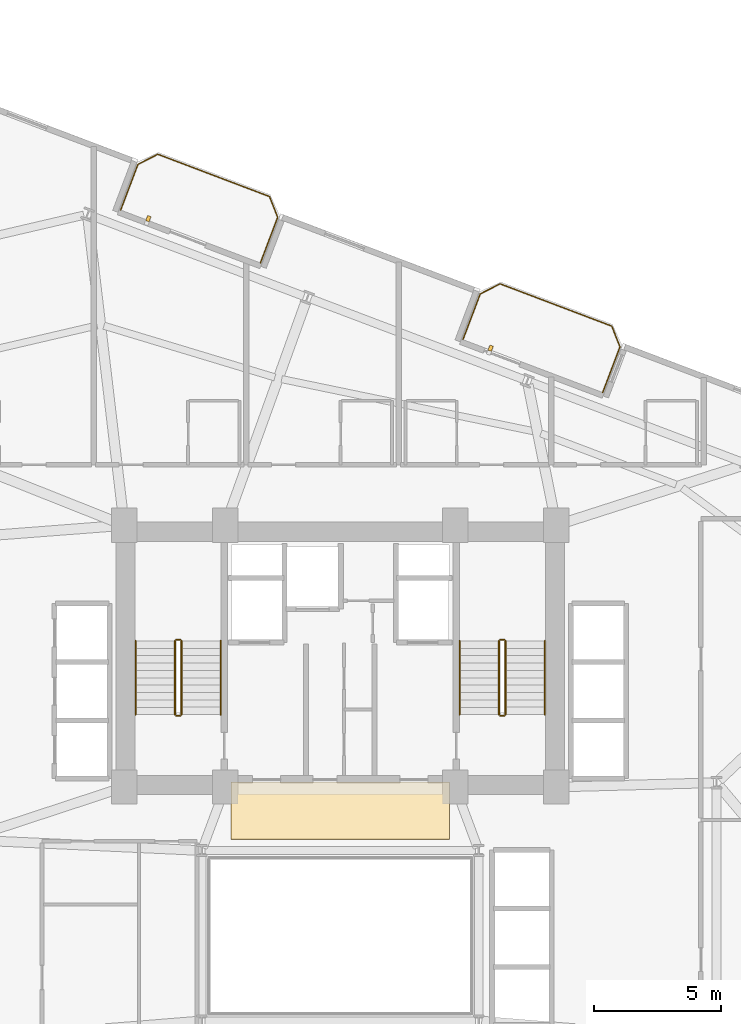
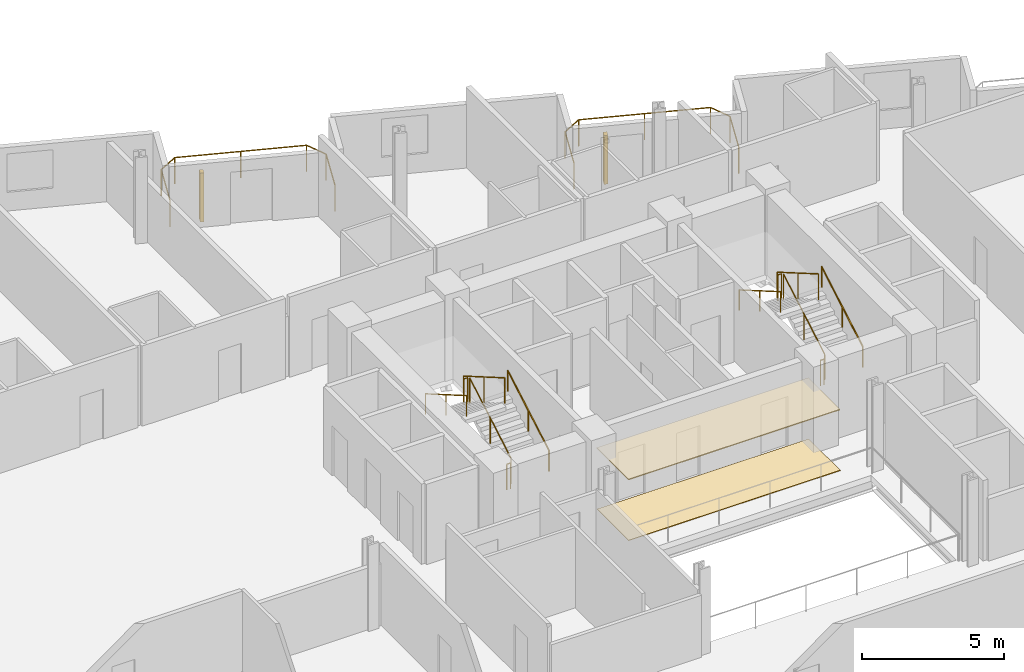
# One storey, part 23 of 24: 14 railings, 2 coverings, 2 shading devices.
"""IFC4 building model written with IfcOpenShell, lengths in metres."""

import ifcopenshell
import ifcopenshell.guid

model = None  # the IFC model being written
_history = None  # IfcOwnerHistory: only IFC2X3 demands one
_inside = {}  # id of a spatial element -> (the spatial element, [elements in it])
_under = {}  # id of a project, library or spatial element -> (it, [spatial elements below it])
_declared = {}  # id of a project -> (the project, [libraries it declares])
_typed = {}  # id of a type object -> (the type object, [elements of that type])
_made_of = {}  # id of a material, layer set ... -> (it, [elements and type objects made of it])


def new_model(schema):
    """Start an empty IFC model of exactly this schema.

    Asked for "IFC4X3", IfcOpenShell would pick the latest addendum, in which some entities
    have other attributes; the version numbers below select the first issue.
    IFC2X3 requires an IfcOwnerHistory on every rooted entity: one is made here for all.
    """
    global model, _history
    if schema == "IFC4X3":
        model = ifcopenshell.file(schema_version=(4, 3, 0, 0))
    else:
        model = ifcopenshell.file(schema=schema)
    _inside.clear()
    _under.clear()
    _declared.clear()
    _typed.clear()
    _made_of.clear()
    _history = None
    if model.schema == "IFC2X3":
        org = make("IfcOrganization", Name="unknown")
        user = make(
            "IfcPersonAndOrganization",
            ThePerson=make("IfcPerson", FamilyName="unknown"),
            TheOrganization=org,
        )
        app = make(
            "IfcApplication",
            ApplicationDeveloper=org,
            Version="unknown",
            ApplicationFullName="unknown",
            ApplicationIdentifier="unknown",
        )
        _history = make(
            "IfcOwnerHistory",
            OwningUser=user,
            OwningApplication=app,
            ChangeAction="ADDED",
            CreationDate=0,
        )
    return model


def make(cls, **values):
    """One entity of the class cls with the attributes given. An attribute that is None is left unset."""
    return model.create_entity(
        cls, **{name: value for name, value in values.items() if value is not None}
    )


def rooted(cls, **values):
    """An entity with a GlobalId (a new one), such as an element, a storey or a relation."""
    return make(cls, GlobalId=ifcopenshell.guid.new(), OwnerHistory=_history, **values)


def si_unit(unit_type, name, prefix=None):
    """IfcSIUnit, for example si_unit("LENGTHUNIT", "METRE", prefix="MILLI")."""
    return make("IfcSIUnit", UnitType=unit_type, Prefix=prefix, Name=name)


def assignment(units):
    """IfcUnitAssignment: the units of a project."""
    return None if units is None else make("IfcUnitAssignment", Units=units)


def point(xyz):
    """IfcCartesianPoint."""
    return None if xyz is None else make("IfcCartesianPoint", Coordinates=xyz)


def direction(xyz):
    """IfcDirection."""
    return None if xyz is None else make("IfcDirection", DirectionRatios=xyz)


def frame(location, z_axis=None, x_axis=None):
    """IfcAxis2Placement3D, a coordinate frame: its origin and axes. An axis left out is left unset."""
    return make(
        "IfcAxis2Placement3D",
        Location=point(location),
        Axis=direction(z_axis),
        RefDirection=direction(x_axis),
    )


def frame_2d(location, x_axis=None):
    """IfcAxis2Placement2D, a coordinate frame in the plane: its origin and x axis."""
    return make(
        "IfcAxis2Placement2D", Location=point(location), RefDirection=direction(x_axis)
    )


def origin():
    """The frame at (0, 0, 0) with its axes left unset."""
    return frame((0.0, 0.0, 0.0))


def origin_2d():
    """The frame at (0, 0) in the plane with its x axis left unset."""
    return frame_2d((0.0, 0.0))


def place(relative_to, where):
    """IfcLocalPlacement: puts the frame where relative to a parent placement (None: the world)."""
    return make(
        "IfcLocalPlacement", PlacementRelTo=relative_to, RelativePlacement=where
    )


def context(
    kind, dimensions, precision=None, world=None, true_north=None, identifier=None
):
    """IfcGeometricRepresentationContext, for example the 3D "Model" context."""
    return make(
        "IfcGeometricRepresentationContext",
        ContextIdentifier=identifier,
        ContextType=kind,
        CoordinateSpaceDimension=dimensions,
        Precision=precision,
        WorldCoordinateSystem=world,
        TrueNorth=true_north,
    )


def subcontext(parent, identifier, kind, view, scale=None):
    """IfcGeometricRepresentationSubContext, for example "Body" below "Model"."""
    return make(
        "IfcGeometricRepresentationSubContext",
        ContextIdentifier=identifier,
        ContextType=kind,
        ParentContext=parent,
        TargetScale=scale,
        TargetView=view,
    )


def project(units=None, contexts=None):
    """IfcProject with its units and contexts."""
    return rooted(
        "IfcProject",
        Name="project",
        RepresentationContexts=contexts,
        UnitsInContext=assignment(units),
    )


def spatial(cls, under=None, at=None, **own):
    """A site, building, storey or space (cls), placed at a placement, below another one or the project."""
    s = rooted(cls, ObjectPlacement=at, **own)
    if under is not None:
        _under.setdefault(under.id(), (under, []))[1].append(s)
    return s


def profile(cls, at=None, kind="AREA", **sizes):
    """A parametric profile (cls). Its sizes go by their IFC names, for example OverallWidth=200.0."""
    return make(cls, ProfileType=kind, Position=at, **sizes)


def rectangle(**sizes):
    """IfcRectangleProfileDef."""
    return profile("IfcRectangleProfileDef", **sizes)


def circle(**sizes):
    """IfcCircleProfileDef."""
    return profile("IfcCircleProfileDef", **sizes)


def extrude(swept, where, along, depth):
    """IfcExtrudedAreaSolid: the profile swept, set in the frame where, extruded along a direction by depth."""
    return make(
        "IfcExtrudedAreaSolid",
        SweptArea=swept,
        Position=where,
        ExtrudedDirection=direction(along),
        Depth=depth,
    )


def shape(context_of_items, identifier, shape_type, items):
    """IfcShapeRepresentation: the items that make up one representation, for example the "Body"."""
    return make(
        "IfcShapeRepresentation",
        ContextOfItems=context_of_items,
        RepresentationIdentifier=identifier,
        RepresentationType=shape_type,
        Items=items,
    )


def source(mapping_origin, context_of_items, identifier, shape_type, items):
    """IfcRepresentationMap: a shape defined once, which mapped items show again and again."""
    return make(
        "IfcRepresentationMap",
        MappingOrigin=mapping_origin,
        MappedRepresentation=shape(context_of_items, identifier, shape_type, items),
    )


def transform(
    local_origin,
    x_axis=None,
    y_axis=None,
    z_axis=None,
    scale=None,
    scale2=None,
    scale3=None,
    uniform=True,
):
    """IfcCartesianTransformationOperator3D, or its non-uniform kind. x_axis, y_axis, z_axis: its Axis1, 2, 3."""
    if uniform:
        return make(
            "IfcCartesianTransformationOperator3D",
            Axis1=direction(x_axis),
            Axis2=direction(y_axis),
            LocalOrigin=point(local_origin),
            Scale=scale,
            Axis3=direction(z_axis),
        )
    return make(
        "IfcCartesianTransformationOperator3DnonUniform",
        Axis1=direction(x_axis),
        Axis2=direction(y_axis),
        LocalOrigin=point(local_origin),
        Scale=scale,
        Axis3=direction(z_axis),
        Scale2=scale2,
        Scale3=scale3,
    )


def mapped(mapping_source, mapping_target):
    """IfcMappedItem: shows the shape of a source again, moved by a transform."""
    return make(
        "IfcMappedItem", MappingSource=mapping_source, MappingTarget=mapping_target
    )


def material(Name=None, Category=None):
    """IfcMaterial."""
    return make("IfcMaterial", Name=Name, Category=Category)


def layer(
    of_material, thickness, ventilated=None, Name=None, Category=None, Priority=None
):
    """IfcMaterialLayer: one layer of a wall or slab, of a material (None: an air gap)."""
    return make(
        "IfcMaterialLayer",
        Material=of_material,
        LayerThickness=thickness,
        IsVentilated=ventilated,
        Name=Name,
        Category=Category,
        Priority=Priority,
    )


def layer_set(layers, Name=None):
    """IfcMaterialLayerSet."""
    return make("IfcMaterialLayerSet", MaterialLayers=layers, LayerSetName=Name)


def made_of(thing, what):
    """Note that an element or type object is made of a material, layer set ...; save() writes the relation."""
    if what is not None:
        _made_of.setdefault(what.id(), (what, []))[1].append(thing)
    return thing


def type_object(cls, material=None, **own):
    """A type object (cls), such as IfcWallType, which elements share."""
    return made_of(rooted(cls, **own), material)


def element(
    cls,
    number,
    at=None,
    inside=None,
    cuts=None,
    type_object=None,
    material=None,
    context=None,
    identifier="Body",
    shape_type=None,
    held_by="IfcProductDefinitionShape",
    body=None,
    shapes=None,
    **own,
):
    """One element of the class cls, such as IfcWall. Its Tag is "e" and its number.

    at: its placement. inside: the storey or other place that contains it. cuts: it is an
    opening in that element (IfcRelVoidsElement). A single representation is given by context,
    identifier, shape_type and body (its items); several are given by shapes. held_by: the class
    of the entity that holds the representations. save() writes the other relations.
    """
    e = rooted(cls, Tag="e%d" % number, ObjectPlacement=at, **own)
    if body is not None:
        shapes = [shape(context, identifier, shape_type, body)]
    if shapes is not None:
        e.Representation = make(held_by, Representations=shapes)
    if inside is not None:
        _inside.setdefault(inside.id(), (inside, []))[1].append(e)
    if cuts is not None:
        rooted(
            "IfcRelVoidsElement", RelatingBuildingElement=cuts, RelatedOpeningElement=e
        )
    if type_object is not None:
        _typed.setdefault(type_object.id(), (type_object, []))[1].append(e)
    return made_of(e, material)


def aggregate(whole, parts):
    """IfcRelAggregates: a whole, such as a stair, and the parts it consists of."""
    return rooted("IfcRelAggregates", RelatingObject=whole, RelatedObjects=parts)


def save(model, path):
    """Write the relations noted so far, then the file.

    IfcRelAggregates (storeys below a building ...), IfcRelContainedInSpatialStructure (elements
    in a storey), IfcRelDefinesByType, IfcRelAssociatesMaterial and IfcRelDeclares: one each for
    every whole, place, type object, material and project.
    """
    for whole, parts in _under.values():
        aggregate(whole, parts)
    for where, things in _inside.values():
        rooted(
            "IfcRelContainedInSpatialStructure",
            RelatedElements=things,
            RelatingStructure=where,
        )
    for kind, things in _typed.values():
        rooted("IfcRelDefinesByType", RelatedObjects=things, RelatingType=kind)
    for what, things in _made_of.values():
        rooted("IfcRelAssociatesMaterial", RelatedObjects=things, RelatingMaterial=what)
    for by, libraries in _declared.values():
        rooted("IfcRelDeclares", RelatingContext=by, RelatedDefinitions=libraries)
    model.write(path)


model = new_model("IFC4")

# Units and contexts
model_context = context("Model", 3, precision=1e-05, world=origin(), true_north=direction((0.0, 1.0)))
body_context = subcontext(model_context, "Body", "Model", "MODEL_VIEW")
ifc_project = project(units=[si_unit("LENGTHUNIT", "METRE"), si_unit("AREAUNIT", "SQUARE_METRE"), si_unit("VOLUMEUNIT", "CUBIC_METRE"), si_unit("PLANEANGLEUNIT", "RADIAN"), si_unit("MASSUNIT", "GRAM", prefix="KILO")], contexts=[model_context])

# Site, building, storey
site_placement = place(None, origin())
site = spatial("IfcSite", under=ifc_project, at=site_placement, CompositionType="ELEMENT")
building_placement = place(site_placement, origin())
building = spatial("IfcBuilding", under=site, at=building_placement, Name="Varnelok Gate Tower", CompositionType="ELEMENT")
storey_placement = place(building_placement, frame((0.0, 0.0, 87.300048828125)))
storey = spatial("IfcBuildingStorey", under=building, at=storey_placement, Name="L21", CompositionType="ELEMENT", Elevation=87.300048828125)

# Railings
ifc_material_1 = material(Name="Low-E Laminated Double Glazing IGU", Category="glass")
railing_type_1 = type_object("IfcRailingType", Name="RL-BALC-1150", PredefinedType="BALUSTRADE", material=ifc_material_1)
railing_1_placement = place(storey_placement, frame((30.560302734375, 51.453125, 0.0)))
element("IfcRailing", 1, at=railing_1_placement, inside=storey, type_object=railing_type_1, Name="L21 North Terrace Balustrade 4", PredefinedType="BALUSTRADE", context=body_context, shape_type="SweptSolid", body=[
    extrude(circle(Radius=0.02392578125, at=origin_2d()), frame((0.0, 0.0, 1.1259765625), z_axis=(0.354006333352, 0.935243025073, 0.0), x_axis=(-0.935243025073, 0.354006333352, 0.0)), (0.0, 0.0, 1.0), 1.919921875),
    extrude(circle(Radius=0.02392578125, at=origin_2d()), frame((0.6796875, 1.795654296875, 1.1259765625), z_axis=(0.89078254773, 0.454429810487, 0.0), x_axis=(-0.454429810487, 0.89078254773, 0.0)), (0.0, 0.0, 1.0), 0.8779296875),
    extrude(circle(Radius=0.02392578125, at=origin_2d()), frame((1.461669921875, 2.194580078125, 1.1259765625), z_axis=(0.935223045203, -0.354059113314, 0.0), x_axis=(0.354059113314, 0.935223045203, 0.0)), (0.0, 0.0, 1.0), 4.699951171875),
    extrude(circle(Radius=0.02392578125, at=origin_2d()), frame((5.857177734375, 0.530517578125, 1.1259765625), z_axis=(0.366349384437, -0.930477365938, 0.0), x_axis=(0.930477365938, 0.366349384437, 0.0)), (0.0, 0.0, 1.0), 0.877685546875),
    extrude(circle(Radius=0.02392578125, at=origin_2d()), frame((6.1787109375, -0.2861328125, 1.1259765625), z_axis=(-0.354006333352, -0.935243025073, 0.0), x_axis=(0.935243025073, -0.354006333352, 0.0)), (0.0, 0.0, 1.0), 1.919921875),
    extrude(circle(Radius=0.02099609375, at=origin_2d()), origin(), (0.0, 0.0, 1.0), 1.101806640625),
    extrude(circle(Radius=0.02099609375, at=origin_2d()), frame((0.6796875, 1.795654296875, 0.0)), (0.0, 0.0, 1.0), 1.101806640625),
    extrude(circle(Radius=0.02099609375, at=origin_2d()), frame((1.461669921875, 2.194580078125, 0.0)), (0.0, 0.0, 1.0), 1.101806640625),
    extrude(circle(Radius=0.02099609375, at=origin_2d()), frame((3.659423828125, 1.362548828125, 0.0)), (0.0, 0.0, 1.0), 1.101806640625),
    extrude(circle(Radius=0.02099609375, at=origin_2d()), frame((5.857177734375, 0.530517578125, 0.0)), (0.0, 0.0, 1.0), 1.101806640625),
    extrude(circle(Radius=0.02099609375, at=origin_2d()), frame((6.1787109375, -0.2861328125, 0.0)), (0.0, 0.0, 1.0), 1.101806640625),
    extrude(circle(Radius=0.02099609375, at=origin_2d()), frame((5.4990234375, -2.081787109375, 0.0)), (0.0, 0.0, 1.0), 1.101806640625),
])
railing_2_placement = place(storey_placement, frame((44.02734375, 46.354736328125, 0.0)))
element("IfcRailing", 2, at=railing_2_placement, inside=storey, type_object=railing_type_1, Name="L21 North Terrace Balustrade 5", PredefinedType="BALUSTRADE", context=body_context, shape_type="SweptSolid", body=[
    extrude(circle(Radius=0.02392578125, at=origin_2d()), frame((0.0, 0.0, 1.1259765625), z_axis=(0.354117547856, 0.935200920819, 0.0), x_axis=(-0.935200920819, 0.354117547856, 0.0)), (0.0, 0.0, 1.0), 1.920166015625),
    extrude(circle(Radius=0.02392578125, at=origin_2d()), frame((0.679931640625, 1.795654296875, 1.1259765625), z_axis=(0.890725095116, 0.454542412686, 0.0), x_axis=(-0.454542412686, 0.890725095116, 0.0)), (0.0, 0.0, 1.0), 0.877685546875),
    extrude(circle(Radius=0.02392578125, at=origin_2d()), frame((1.461669921875, 2.194580078125, 1.1259765625), z_axis=(0.935223045203, -0.354059113314, 0.0), x_axis=(0.354059113314, 0.935223045203, 0.0)), (0.0, 0.0, 1.0), 4.699951171875),
    extrude(circle(Radius=0.02392578125, at=origin_2d()), frame((5.857177734375, 0.530517578125, 1.1259765625), z_axis=(0.366495340819, -0.93041988648, 0.0), x_axis=(0.93041988648, 0.366495340819, 0.0)), (0.0, 0.0, 1.0), 0.8779296875),
    extrude(circle(Radius=0.02392578125, at=origin_2d()), frame((6.178955078125, -0.286376953125, 1.1259765625), z_axis=(-0.354006333352, -0.935243025073, 0.0), x_axis=(0.935243025073, -0.354006333352, 0.0)), (0.0, 0.0, 1.0), 1.919921875),
    extrude(circle(Radius=0.02099609375, at=origin_2d()), origin(), (0.0, 0.0, 1.0), 1.101806640625),
    extrude(circle(Radius=0.02099609375, at=origin_2d()), frame((0.679931640625, 1.795654296875, 0.0)), (0.0, 0.0, 1.0), 1.101806640625),
    extrude(circle(Radius=0.02099609375, at=origin_2d()), frame((1.461669921875, 2.194580078125, 0.0)), (0.0, 0.0, 1.0), 1.101806640625),
    extrude(circle(Radius=0.02099609375, at=origin_2d()), frame((3.659423828125, 1.362548828125, 0.0)), (0.0, 0.0, 1.0), 1.101806640625),
    extrude(circle(Radius=0.02099609375, at=origin_2d()), frame((5.857177734375, 0.530517578125, 0.0)), (0.0, 0.0, 1.0), 1.101806640625),
    extrude(circle(Radius=0.02099609375, at=origin_2d()), frame((6.178955078125, -0.286376953125, 0.0)), (0.0, 0.0, 1.0), 1.101806640625),
    extrude(circle(Radius=0.02099609375, at=origin_2d()), frame((5.499267578125, -2.08203125, 0.0)), (0.0, 0.0, 1.0), 1.101806640625),
])
ifc_material_2 = material(Name="Brushed Stainless Steel AISI 316", Category="steel")
railing_type_2 = type_object("IfcRailingType", Name="RL-HANDRAIL-900", PredefinedType="HANDRAIL", material=ifc_material_2)
railing_3_placement = place(storey_placement, frame((34.5, 31.60009765625, 0.168212890625)))
element("IfcRailing", 3, at=railing_3_placement, inside=storey, type_object=railing_type_2, Name="L21 ST-1 stair handrail 1", PredefinedType="HANDRAIL", context=body_context, shape_type="SweptSolid", body=[
    extrude(circle(Radius=0.02392578125, at=origin_2d()), frame((0.0, 0.0, 0.8759765625), z_axis=(0.0, 0.86507038078, 0.501650512107), x_axis=(-1.0, 0.0, 0.0)), (0.0, 0.0, 1.0), 3.352294921875),
    extrude(circle(Radius=0.02099609375, at=origin_2d()), origin(), (0.0, 0.0, 1.0), 0.851806640625),
    extrude(circle(Radius=0.02099609375, at=origin_2d()), frame((0.0, 1.449951171875, 0.8408203125)), (0.0, 0.0, 1.0), 0.851806640625),
    extrude(circle(Radius=0.02099609375, at=origin_2d()), frame((0.0, 2.89990234375, 1.681640625)), (0.0, 0.0, 1.0), 0.851806640625),
])
railing_4_placement = place(storey_placement, frame((31.14990234375, 34.5, 2.01806640625)))
element("IfcRailing", 4, at=railing_4_placement, inside=storey, type_object=railing_type_2, Name="L21 ST-1 stair handrail 2", PredefinedType="HANDRAIL", context=body_context, shape_type="SweptSolid", body=[
    extrude(circle(Radius=0.02392578125, at=origin_2d()), frame((0.0, 0.0, 0.8759765625), z_axis=(0.0, -0.865038774852, 0.501705010941), x_axis=(1.0, 0.0, 0.0)), (0.0, 0.0, 1.0), 3.352294921875),
    extrude(circle(Radius=0.02099609375, at=origin_2d()), origin(), (0.0, 0.0, 1.0), 0.851806640625),
    extrude(circle(Radius=0.02099609375, at=origin_2d()), frame((0.0, -1.449951171875, 0.8408203125)), (0.0, 0.0, 1.0), 0.851806640625),
    extrude(circle(Radius=0.02099609375, at=origin_2d()), frame((0.0, -2.89990234375, 1.681884765625)), (0.0, 0.0, 1.0), 0.851806640625),
])
railing_5_placement = place(storey_placement, frame((47.25, 31.60009765625, 0.168212890625)))
element("IfcRailing", 5, at=railing_5_placement, inside=storey, type_object=railing_type_2, Name="L21 ST-2 stair handrail 1", PredefinedType="HANDRAIL", context=body_context, shape_type="SweptSolid", body=[
    extrude(circle(Radius=0.02392578125, at=origin_2d()), frame((0.0, 0.0, 0.8759765625), z_axis=(0.0, 0.86507038078, 0.501650512107), x_axis=(-1.0, 0.0, 0.0)), (0.0, 0.0, 1.0), 3.352294921875),
    extrude(circle(Radius=0.02099609375, at=origin_2d()), origin(), (0.0, 0.0, 1.0), 0.851806640625),
    extrude(circle(Radius=0.02099609375, at=origin_2d()), frame((0.0, 1.449951171875, 0.8408203125)), (0.0, 0.0, 1.0), 0.851806640625),
    extrude(circle(Radius=0.02099609375, at=origin_2d()), frame((0.0, 2.89990234375, 1.681640625)), (0.0, 0.0, 1.0), 0.851806640625),
])
railing_6_placement = place(storey_placement, frame((43.89990234375, 34.5, 2.01806640625)))
element("IfcRailing", 6, at=railing_6_placement, inside=storey, type_object=railing_type_2, Name="L21 ST-2 stair handrail 2", PredefinedType="HANDRAIL", context=body_context, shape_type="SweptSolid", body=[
    extrude(circle(Radius=0.02392578125, at=origin_2d()), frame((0.0, 0.0, 0.8759765625), z_axis=(0.0, -0.865038774852, 0.501705010941), x_axis=(1.0, 0.0, 0.0)), (0.0, 0.0, 1.0), 3.352294921875),
    extrude(circle(Radius=0.02099609375, at=origin_2d()), origin(), (0.0, 0.0, 1.0), 0.851806640625),
    extrude(circle(Radius=0.02099609375, at=origin_2d()), frame((0.0, -1.449951171875, 0.8408203125)), (0.0, 0.0, 1.0), 0.851806640625),
    extrude(circle(Radius=0.02099609375, at=origin_2d()), frame((0.0, -2.89990234375, 1.681884765625)), (0.0, 0.0, 1.0), 0.851806640625),
])
ifc_material_3 = material(Name="Galvanized Steel Grade S350GD", Category="steel")
railing_type_3 = type_object("IfcRailingType", Name="RL-STAIR-GUARD1120", PredefinedType="GUARDRAIL", material=ifc_material_3)
railing_7_placement = place(storey_placement, frame((32.949951171875, 31.60009765625, 0.168212890625)))
element("IfcRailing", 7, at=railing_7_placement, inside=storey, type_object=railing_type_3, Name="L21 ST-1 stair guard 1", PredefinedType="GUARDRAIL", context=body_context, shape_type="SweptSolid", body=[
    extrude(circle(Radius=0.02392578125, at=origin_2d()), frame((0.0, 0.0, 1.09619140625), z_axis=(0.0, 0.86507038078, 0.501650512107), x_axis=(-1.0, 0.0, 0.0)), (0.0, 0.0, 1.0), 3.352294921875),
    extrude(circle(Radius=0.02099609375, at=origin_2d()), origin(), (0.0, 0.0, 1.0), 1.072021484375),
    extrude(circle(Radius=0.02099609375, at=origin_2d()), frame((0.0, 1.449951171875, 0.8408203125)), (0.0, 0.0, 1.0), 1.072021484375),
    extrude(circle(Radius=0.02099609375, at=origin_2d()), frame((0.0, 2.89990234375, 1.681640625)), (0.0, 0.0, 1.0), 1.072021484375),
])
railing_8_placement = place(storey_placement, frame((32.89990234375, 34.550048828125, 1.849853515625)))
element("IfcRailing", 8, at=railing_8_placement, inside=storey, type_object=railing_type_3, Name="L21 ST-1 stair guard 2", PredefinedType="GUARDRAIL", context=body_context, shape_type="SweptSolid", body=[
    extrude(circle(Radius=0.02392578125, at=origin_2d()), frame((0.0, 0.0, 1.09619140625), z_axis=(-1.0, 0.0, 0.0), x_axis=(0.0, -1.0, 0.0)), (0.0, 0.0, 1.0), 0.14990234375),
    extrude(circle(Radius=0.02099609375, at=origin_2d()), origin(), (0.0, 0.0, 1.0), 1.072021484375),
    extrude(circle(Radius=0.02099609375, at=origin_2d()), frame((-0.14990234375, 0.0, 0.0)), (0.0, 0.0, 1.0), 1.072021484375),
])
railing_9_placement = place(storey_placement, frame((32.699951171875, 34.5, 2.01806640625)))
element("IfcRailing", 9, at=railing_9_placement, inside=storey, type_object=railing_type_3, Name="L21 ST-1 stair guard 3", PredefinedType="GUARDRAIL", context=body_context, shape_type="SweptSolid", body=[
    extrude(circle(Radius=0.02392578125, at=origin_2d()), frame((0.0, 0.0, 1.09619140625), z_axis=(0.0, -0.865038774852, 0.501705010941), x_axis=(1.0, 0.0, 0.0)), (0.0, 0.0, 1.0), 3.352294921875),
    extrude(circle(Radius=0.02099609375, at=origin_2d()), origin(), (0.0, 0.0, 1.0), 1.072021484375),
    extrude(circle(Radius=0.02099609375, at=origin_2d()), frame((0.0, -1.449951171875, 0.8408203125)), (0.0, 0.0, 1.0), 1.072021484375),
    extrude(circle(Radius=0.02099609375, at=origin_2d()), frame((0.0, -2.89990234375, 1.681884765625)), (0.0, 0.0, 1.0), 1.072021484375),
])
railing_10_placement = place(storey_placement, frame((32.89990234375, 31.550048828125, 0.0)))
element("IfcRailing", 10, at=railing_10_placement, inside=storey, type_object=railing_type_3, Name="L21 ST-1 stair guard 4", PredefinedType="GUARDRAIL", context=body_context, shape_type="SweptSolid", body=[
    extrude(circle(Radius=0.02392578125, at=origin_2d()), frame((0.0, 0.0, 1.09619140625), z_axis=(-1.0, 0.0, 0.0), x_axis=(0.0, -1.0, 0.0)), (0.0, 0.0, 1.0), 0.14990234375),
    extrude(circle(Radius=0.02099609375, at=origin_2d()), origin(), (0.0, 0.0, 1.0), 1.072021484375),
    extrude(circle(Radius=0.02099609375, at=origin_2d()), frame((-0.14990234375, 0.0, 0.0)), (0.0, 0.0, 1.0), 1.072021484375),
])
railing_11_placement = place(storey_placement, frame((45.699951171875, 31.60009765625, 0.168212890625)))
element("IfcRailing", 11, at=railing_11_placement, inside=storey, type_object=railing_type_3, Name="L21 ST-2 stair guard 1", PredefinedType="GUARDRAIL", context=body_context, shape_type="SweptSolid", body=[
    extrude(circle(Radius=0.02392578125, at=origin_2d()), frame((0.0, 0.0, 1.09619140625), z_axis=(0.0, 0.86507038078, 0.501650512107), x_axis=(-1.0, 0.0, 0.0)), (0.0, 0.0, 1.0), 3.352294921875),
    extrude(circle(Radius=0.02099609375, at=origin_2d()), origin(), (0.0, 0.0, 1.0), 1.072021484375),
    extrude(circle(Radius=0.02099609375, at=origin_2d()), frame((0.0, 1.449951171875, 0.8408203125)), (0.0, 0.0, 1.0), 1.072021484375),
    extrude(circle(Radius=0.02099609375, at=origin_2d()), frame((0.0, 2.89990234375, 1.681640625)), (0.0, 0.0, 1.0), 1.072021484375),
])
railing_12_placement = place(storey_placement, frame((45.64990234375, 34.550048828125, 1.849853515625)))
element("IfcRailing", 12, at=railing_12_placement, inside=storey, type_object=railing_type_3, Name="L21 ST-2 stair guard 2", PredefinedType="GUARDRAIL", context=body_context, shape_type="SweptSolid", body=[
    extrude(circle(Radius=0.02392578125, at=origin_2d()), frame((0.0, 0.0, 1.09619140625), z_axis=(-1.0, 0.0, 0.0), x_axis=(0.0, -1.0, 0.0)), (0.0, 0.0, 1.0), 0.14990234375),
    extrude(circle(Radius=0.02099609375, at=origin_2d()), origin(), (0.0, 0.0, 1.0), 1.072021484375),
    extrude(circle(Radius=0.02099609375, at=origin_2d()), frame((-0.14990234375, 0.0, 0.0)), (0.0, 0.0, 1.0), 1.072021484375),
])
railing_13_placement = place(storey_placement, frame((45.449951171875, 34.5, 2.01806640625)))
element("IfcRailing", 13, at=railing_13_placement, inside=storey, type_object=railing_type_3, Name="L21 ST-2 stair guard 3", PredefinedType="GUARDRAIL", context=body_context, shape_type="SweptSolid", body=[
    extrude(circle(Radius=0.02392578125, at=origin_2d()), frame((0.0, 0.0, 1.09619140625), z_axis=(0.0, -0.865038774852, 0.501705010941), x_axis=(1.0, 0.0, 0.0)), (0.0, 0.0, 1.0), 3.352294921875),
    extrude(circle(Radius=0.02099609375, at=origin_2d()), origin(), (0.0, 0.0, 1.0), 1.072021484375),
    extrude(circle(Radius=0.02099609375, at=origin_2d()), frame((0.0, -1.449951171875, 0.8408203125)), (0.0, 0.0, 1.0), 1.072021484375),
    extrude(circle(Radius=0.02099609375, at=origin_2d()), frame((0.0, -2.89990234375, 1.681884765625)), (0.0, 0.0, 1.0), 1.072021484375),
])
railing_14_placement = place(storey_placement, frame((45.64990234375, 31.550048828125, 0.0)))
element("IfcRailing", 14, at=railing_14_placement, inside=storey, type_object=railing_type_3, Name="L21 ST-2 stair guard 4", PredefinedType="GUARDRAIL", context=body_context, shape_type="SweptSolid", body=[
    extrude(circle(Radius=0.02392578125, at=origin_2d()), frame((0.0, 0.0, 1.09619140625), z_axis=(-1.0, 0.0, 0.0), x_axis=(0.0, -1.0, 0.0)), (0.0, 0.0, 1.0), 0.14990234375),
    extrude(circle(Radius=0.02099609375, at=origin_2d()), origin(), (0.0, 0.0, 1.0), 1.072021484375),
    extrude(circle(Radius=0.02099609375, at=origin_2d()), frame((-0.14990234375, 0.0, 0.0)), (0.0, 0.0, 1.0), 1.072021484375),
])

# Shading devices
ifc_material_4 = material(Name="Glazed Architectural Terracotta Ceramic", Category="masonry")
shading_device_type = type_object("IfcShadingDeviceType", Name="SHD-TERRA-FIN", PredefinedType="USERDEFINED", material=ifc_material_4)
shared_shape_1 = source(origin(), body_context, "Body", "SweptSolid", [
    extrude(rectangle(XDim=0.139892578125, YDim=0.219970703125, at=origin_2d()), origin(), (0.0, 0.0, 1.0), 2.10009765625),
])
for number, where, z_axis, x_axis, name in (
    (15, (31.651123046875, 51.114990234375, 0.099853515625), (0.0, 0.0, 1.0), (0.935221751401, -0.354062530786, 0.0), "L21 Terracotta Ceramic Baguette Sunscreen 4.1"),
    (16, (45.118408203125, 46.0166015625, 0.099853515625), (0.0, 0.0, 1.0), (0.935221751401, -0.354062530786, 0.0), "L21 Terracotta Ceramic Baguette Sunscreen 5.1"),
):
    element("IfcShadingDevice", number, at=place(storey_placement, frame(where, z_axis=z_axis, x_axis=x_axis)), inside=storey, type_object=shading_device_type, Name=name, ObjectType="BAGUETTE", PredefinedType="USERDEFINED", context=body_context, shape_type="MappedRepresentation", body=[
        mapped(shared_shape_1, transform((0.0, 0.0, 0.0), scale=1.0)),
    ])

# Coverings
ifc_material_5 = material(Name="Honed Travertine Stone Flooring", Category="masonry")
ifc_layer_1 = layer(ifc_material_5, 0.02490234375)
ifc_layer_set_1 = layer_set([ifc_layer_1], Name="Honed Travertine Stone Flooring")
covering_type_1 = type_object("IfcCoveringType", Name="COV-FLOR-STONE", PredefinedType="FLOORING", material=ifc_layer_set_1)
shared_shape_2 = source(origin(), body_context, "Body", "SweptSolid", [
    extrude(rectangle(XDim=8.60009765625, YDim=2.219970703125, at=origin_2d()), origin(), (0.0, 0.0, 1.0), 0.02490234375),
])
covering_1_placement = place(storey_placement, frame((39.199951171875, 27.800048828125, 0.0), z_axis=(0.0, 0.0, 1.0), x_axis=(1.0, 0.0, 0.0)))
element("IfcCovering", 17, at=covering_1_placement, inside=storey, type_object=covering_type_1, Name="L21 Core Gallery Stone Flooring", PredefinedType="FLOORING", context=body_context, shape_type="MappedRepresentation", body=[
    mapped(shared_shape_2, transform((0.0, 0.0, 0.0), scale=1.0)),
])
ifc_material_6 = material(Name="Mineral Fiber Acoustic Ceiling Tile")
ifc_layer_2 = layer(ifc_material_6, 0.0400390625)
ifc_layer_set_2 = layer_set([ifc_layer_2], Name="Mineral Fiber Acoustic Ceiling Tile")
covering_type_2 = type_object("IfcCoveringType", Name="COV-CEIL-ACOUST", PredefinedType="CEILING", material=ifc_layer_set_2)
shared_shape_3 = source(origin(), body_context, "Body", "SweptSolid", [
    extrude(rectangle(XDim=8.60009765625, YDim=2.239990234375, at=origin_2d()), origin(), (0.0, 0.0, 1.0), 0.0400390625),
])
covering_2_placement = place(storey_placement, frame((39.199951171875, 27.820068359375, 2.599853515625), z_axis=(0.0, 0.0, 1.0), x_axis=(1.0, 0.0, 0.0)))
element("IfcCovering", 18, at=covering_2_placement, inside=storey, type_object=covering_type_2, Name="L21 Core Gallery Acoustic Ceiling", PredefinedType="CEILING", context=body_context, shape_type="MappedRepresentation", body=[
    mapped(shared_shape_3, transform((0.0, 0.0, 0.0), scale=1.0)),
])

save(model, "model.ifc")
